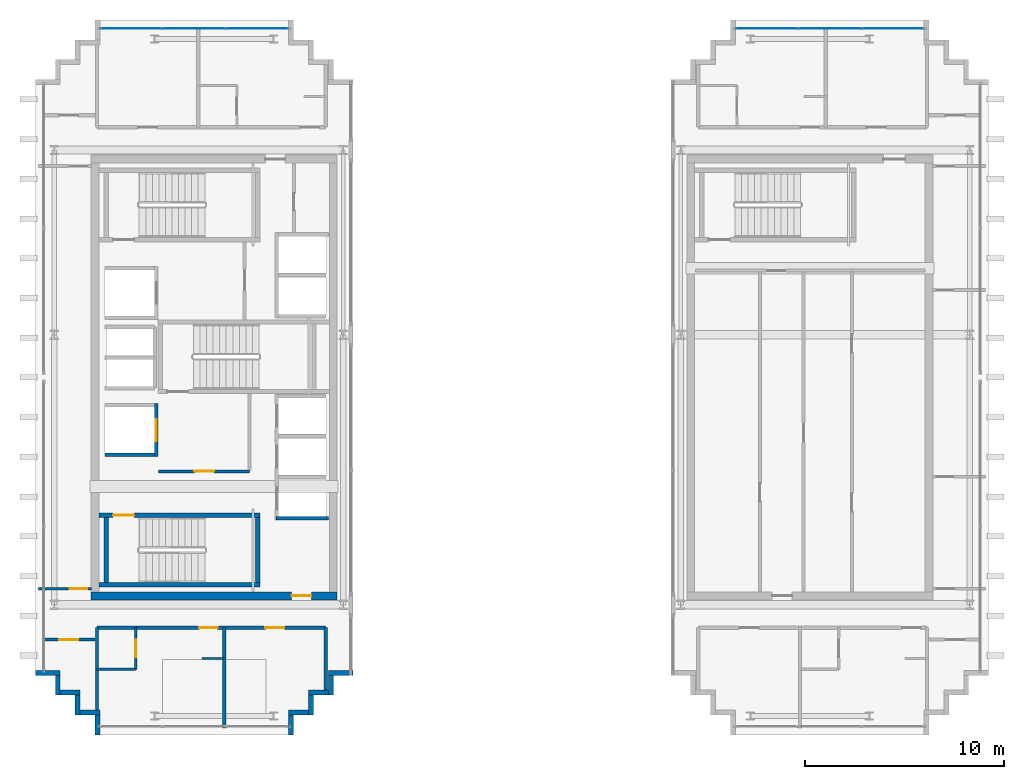
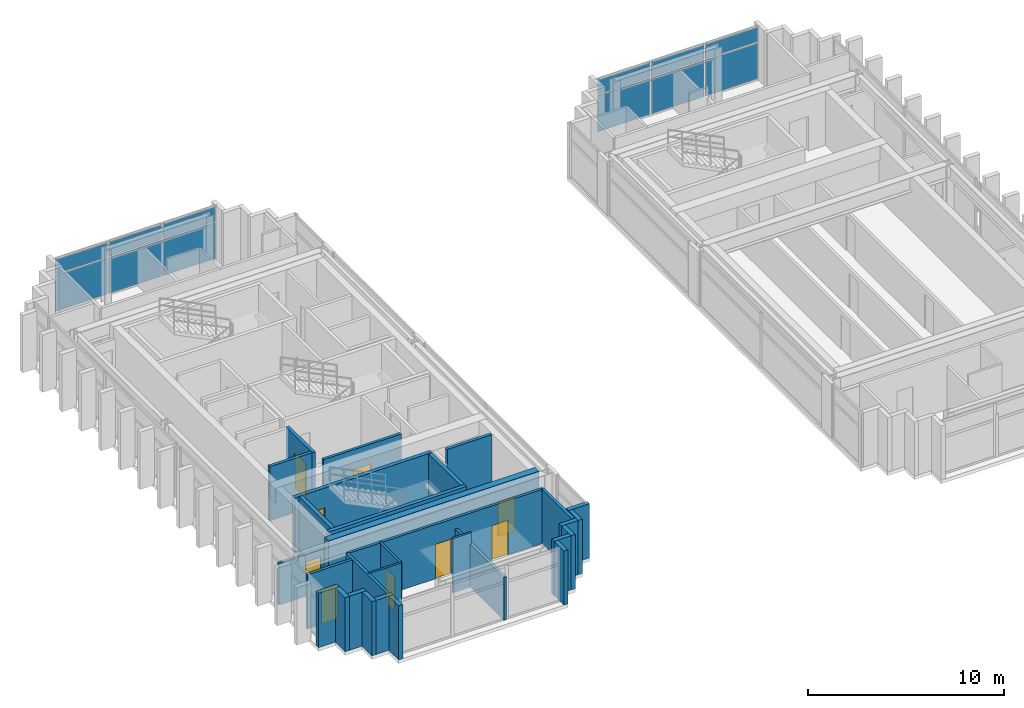
# One storey, part 19 of 25: 30 walls, 12 plates, 9 doors, 9 openings, 2 elements without a shape of their own.
"""IFC4 building model written with IfcOpenShell, lengths in metres."""

from ifc_helpers import new_model, si_unit, direction, frame, frame_2d, origin, origin_2d, place, context, subcontext, project, spatial, rectangle, extrude, source, transform, mapped, material, layer, layer_set, type_object, element, fill, aggregate, save


model = new_model("IFC4")

# Units and contexts
model_context = context("Model", 3, precision=1e-05, world=origin(), true_north=direction((0.0, 1.0)))
body_context = subcontext(model_context, "Body", "Model", "MODEL_VIEW")
ifc_project = project(units=[si_unit("LENGTHUNIT", "METRE"), si_unit("AREAUNIT", "SQUARE_METRE"), si_unit("VOLUMEUNIT", "CUBIC_METRE"), si_unit("PLANEANGLEUNIT", "RADIAN"), si_unit("MASSUNIT", "GRAM", prefix="KILO")], contexts=[model_context])

# Site, building, storey
site_placement = place(None, origin())
site = spatial("IfcSite", under=ifc_project, at=site_placement, CompositionType="ELEMENT")
building_placement = place(site_placement, origin())
building = spatial("IfcBuilding", under=site, at=building_placement, Name="Ocotamira Hotel", CompositionType="ELEMENT")
storey_placement = place(building_placement, frame((0.0, 0.0, 258.0)))
storey = spatial("IfcBuildingStorey", under=building, at=storey_placement, Name="L65", CompositionType="ELEMENT", Elevation=258.0)

# Curtain wall, plates
ifc_material_1 = material(Name="Anodised pale-metal aluminium and solar glass", Category="aluminium")
ifc_layer_1 = layer(ifc_material_1, 0.2099609375)
ifc_layer_set_1 = layer_set([ifc_layer_1], Name="Anodised pale-metal aluminium and solar glass")
curtain_wall_type = type_object("IfcCurtainWallType", Name="CW-SYS7-PEAK", PredefinedType="NOTDEFINED", material=ifc_layer_set_1)
curtain_wall_1_placement = place(storey_placement, origin())
curtain_wall_1 = element("IfcCurtainWall", 1, at=curtain_wall_1_placement, inside=storey, type_object=curtain_wall_type, Name="L65 Curtain Wall CW-7 CW-L65-WN", PredefinedType="NOTDEFINED")
ifc_material_2 = material(Name="Double-silver low-E insulated solar glass", Category="glass")
ifc_layer_2 = layer(ifc_material_2, 0.031982421875)
ifc_layer_set_2 = layer_set([ifc_layer_2], Name="Double-silver low-E insulated solar glass")
plate_type = type_object("IfcPlateType", Name="CWP-VISION-32", PredefinedType="CURTAIN_PANEL", material=ifc_layer_set_2)
shared_shape_1 = source(origin(), body_context, "Body", "SweptSolid", [
    extrude(rectangle(XDim=3.080078125, YDim=0.031982421875, at=origin_2d()), origin(), (0.0, 0.0, 1.0), 2.237548828125),
])
plate_1_placement = place(storey_placement, frame((12.820068359375, 43.580078125, 0.0751953125), z_axis=(0.0, 0.0, 1.0), x_axis=(1.0, 0.0, 0.0)))
plate_1 = element("IfcPlate", 2, at=plate_1_placement, type_object=plate_type, Name="CW-7 panel 1.1", PredefinedType="CURTAIN_PANEL", context=body_context, shape_type="MappedRepresentation", body=[
    mapped(shared_shape_1, transform((0.0, 0.0, 0.0), scale=1.0)),
])
plate_2_placement = place(storey_placement, frame((19.179931640625, 43.580078125, 0.0751953125), z_axis=(0.0, 0.0, 1.0), x_axis=(1.0, 0.0, 0.0)))
plate_2 = element("IfcPlate", 3, at=plate_2_placement, type_object=plate_type, Name="CW-7 panel 3.1", PredefinedType="CURTAIN_PANEL", context=body_context, shape_type="MappedRepresentation", body=[
    mapped(shared_shape_1, transform((0.0, 0.0, 0.0), scale=1.0)),
])

curtain_wall_2_placement = place(storey_placement, origin())
curtain_wall_2 = element("IfcCurtainWall", 4, at=curtain_wall_2_placement, inside=storey, type_object=curtain_wall_type, Name="L65 Curtain Wall CW-7 CW-L65-EN", PredefinedType="NOTDEFINED")
plate_3_placement = place(storey_placement, frame((44.820068359375, 43.580078125, 0.0751953125), z_axis=(0.0, 0.0, 1.0), x_axis=(1.0, 0.0, 0.0)))
plate_3 = element("IfcPlate", 5, at=plate_3_placement, type_object=plate_type, Name="CW-7 panel 1.1", PredefinedType="CURTAIN_PANEL", context=body_context, shape_type="MappedRepresentation", body=[
    mapped(shared_shape_1, transform((0.0, 0.0, 0.0), scale=1.0)),
])
plate_4_placement = place(storey_placement, frame((51.179931640625, 43.580078125, 0.0751953125), z_axis=(0.0, 0.0, 1.0), x_axis=(1.0, 0.0, 0.0)))
plate_4 = element("IfcPlate", 6, at=plate_4_placement, type_object=plate_type, Name="CW-7 panel 3.1", PredefinedType="CURTAIN_PANEL", context=body_context, shape_type="MappedRepresentation", body=[
    mapped(shared_shape_1, transform((0.0, 0.0, 0.0), scale=1.0)),
])

# Plate
shared_shape_2 = source(origin(), body_context, "Body", "SweptSolid", [
    extrude(rectangle(XDim=3.080078125, YDim=0.031982421875, at=origin_2d()), origin(), (0.0, 0.0, 1.0), 0.91748046875),
])
plate_5_placement = place(storey_placement, frame((12.820068359375, 43.580078125, 2.387451171875), z_axis=(0.0, 0.0, 1.0), x_axis=(1.0, 0.0, 0.0)))
plate_5 = element("IfcPlate", 7, at=plate_5_placement, type_object=plate_type, Name="CW-7 panel 1.2", PredefinedType="CURTAIN_PANEL", context=body_context, shape_type="MappedRepresentation", body=[
    mapped(shared_shape_2, transform((0.0, 0.0, 0.0), scale=1.0)),
])

plate_6_placement = place(storey_placement, frame((19.179931640625, 43.580078125, 2.387451171875), z_axis=(0.0, 0.0, 1.0), x_axis=(1.0, 0.0, 0.0)))
plate_6 = element("IfcPlate", 8, at=plate_6_placement, type_object=plate_type, Name="CW-7 panel 3.2", PredefinedType="CURTAIN_PANEL", context=body_context, shape_type="MappedRepresentation", body=[
    mapped(shared_shape_2, transform((0.0, 0.0, 0.0), scale=1.0)),
])

plate_7_placement = place(storey_placement, frame((44.820068359375, 43.580078125, 2.387451171875), z_axis=(0.0, 0.0, 1.0), x_axis=(1.0, 0.0, 0.0)))
plate_7 = element("IfcPlate", 9, at=plate_7_placement, type_object=plate_type, Name="CW-7 panel 1.2", PredefinedType="CURTAIN_PANEL", context=body_context, shape_type="MappedRepresentation", body=[
    mapped(shared_shape_2, transform((0.0, 0.0, 0.0), scale=1.0)),
])

plate_8_placement = place(storey_placement, frame((51.179931640625, 43.580078125, 2.387451171875), z_axis=(0.0, 0.0, 1.0), x_axis=(1.0, 0.0, 0.0)))
plate_8 = element("IfcPlate", 10, at=plate_8_placement, type_object=plate_type, Name="CW-7 panel 3.2", PredefinedType="CURTAIN_PANEL", context=body_context, shape_type="MappedRepresentation", body=[
    mapped(shared_shape_2, transform((0.0, 0.0, 0.0), scale=1.0)),
])

shared_shape_3 = source(origin(), body_context, "Body", "SweptSolid", [
    extrude(rectangle(XDim=3.1201171875, YDim=0.031982421875, at=origin_2d()), origin(), (0.0, 0.0, 1.0), 2.237548828125),
])
plate_9_placement = place(storey_placement, frame((16.0, 43.580078125, 0.0751953125), z_axis=(0.0, 0.0, 1.0), x_axis=(1.0, 0.0, 0.0)))
plate_9 = element("IfcPlate", 11, at=plate_9_placement, type_object=plate_type, Name="CW-7 panel 2.1", PredefinedType="CURTAIN_PANEL", context=body_context, shape_type="MappedRepresentation", body=[
    mapped(shared_shape_3, transform((0.0, 0.0, 0.0), scale=1.0)),
])

plate_10_placement = place(storey_placement, frame((48.0, 43.580078125, 0.0751953125), z_axis=(0.0, 0.0, 1.0), x_axis=(1.0, 0.0, 0.0)))
plate_10 = element("IfcPlate", 12, at=plate_10_placement, type_object=plate_type, Name="CW-7 panel 2.1", PredefinedType="CURTAIN_PANEL", context=body_context, shape_type="MappedRepresentation", body=[
    mapped(shared_shape_3, transform((0.0, 0.0, 0.0), scale=1.0)),
])

shared_shape_4 = source(origin(), body_context, "Body", "SweptSolid", [
    extrude(rectangle(XDim=3.1201171875, YDim=0.031982421875, at=origin_2d()), origin(), (0.0, 0.0, 1.0), 0.91748046875),
])
plate_11_placement = place(storey_placement, frame((16.0, 43.580078125, 2.387451171875), z_axis=(0.0, 0.0, 1.0), x_axis=(1.0, 0.0, 0.0)))
plate_11 = element("IfcPlate", 13, at=plate_11_placement, type_object=plate_type, Name="CW-7 panel 2.2", PredefinedType="CURTAIN_PANEL", context=body_context, shape_type="MappedRepresentation", body=[
    mapped(shared_shape_4, transform((0.0, 0.0, 0.0), scale=1.0)),
])

aggregate(curtain_wall_1, [plate_1, plate_5, plate_9, plate_11, plate_2, plate_6])

plate_12_placement = place(storey_placement, frame((48.0, 43.580078125, 2.387451171875), z_axis=(0.0, 0.0, 1.0), x_axis=(1.0, 0.0, 0.0)))
plate_12 = element("IfcPlate", 14, at=plate_12_placement, type_object=plate_type, Name="CW-7 panel 2.2", PredefinedType="CURTAIN_PANEL", context=body_context, shape_type="MappedRepresentation", body=[
    mapped(shared_shape_4, transform((0.0, 0.0, 0.0), scale=1.0)),
])

aggregate(curtain_wall_2, [plate_3, plate_7, plate_10, plate_12, plate_4, plate_8])

# Wall, opening, door
ifc_material_3 = material(Name="Concrete C50/60", Category="concrete")
ifc_layer_3 = layer(ifc_material_3, 0.39990234375)
ifc_layer_set_3 = layer_set([ifc_layer_3], Name="Concrete C50/60")
wall_type_1 = type_object("IfcWallType", Name="WL-CORE-400", PredefinedType="SHEAR", material=ifc_layer_set_3)
wall_1_placement = place(storey_placement, frame((10.800048828125, 15.0, 0.0), z_axis=(0.0, 0.0, 1.0), x_axis=(1.0, 0.0, 0.0)))
wall_1 = element("IfcWall", 15, at=wall_1_placement, inside=storey, type_object=wall_type_1, Name="L65 Shear Core Wall WCORE-S", PredefinedType="SHEAR", context=body_context, shape_type="SweptSolid", body=[
    extrude(rectangle(XDim=12.39990234375, YDim=0.39990234375, at=frame_2d((6.199951171875, 0.0))), origin(), (0.0, 0.0, 1.0), 3.3798828125),
])
opening_1_placement = place(wall_1_placement, frame((10.10009765625, 0.0, 0.0)))
opening_1 = element("IfcOpeningElement", 16, at=opening_1_placement, cuts=wall_1, Name="Opening D-FR2", PredefinedType="OPENING", context=body_context, shape_type="SweptSolid", body=[
    extrude(rectangle(XDim=1.0, YDim=2.14990234375, at=frame_2d((0.5, 1.074951171875))), frame((0.0, 0.2099609375, 0.0), z_axis=(0.0, -1.0, 0.0), x_axis=(1.0, 0.0, 0.0)), (0.0, 0.0, 1.0), 0.419921875),
])
ifc_material_4 = material(Name="Fire-rated acoustic timber-veneer door", Category="wood")
door_type_1 = type_object("IfcDoorType", Name="DR-FIRE-1000", OperationType="NOTDEFINED", PredefinedType="DOOR", material=ifc_material_4)
shared_shape_5 = source(origin(), body_context, "Body", "SweptSolid", [
    extrude(rectangle(XDim=1.0, YDim=2.14990234375, at=frame_2d((0.5, 1.074951171875))), frame((0.0, 0.02490234375, 0.0), z_axis=(0.0, -1.0, 0.0), x_axis=(1.0, 0.0, 0.0)), (0.0, 0.0, 1.0), 0.050048828125),
])
door_1_placement = place(opening_1_placement, origin())
door_1 = element("IfcDoor", 17, at=door_1_placement, inside=storey, type_object=door_type_1, Name="L65 Door ID-L65-WLOB-S-D [ID-L65-WLOB-S-D]", OperationType="SINGLE_SWING_LEFT", OverallHeight=2.14990234375, OverallWidth=1.0, PredefinedType="DOOR", context=body_context, shape_type="MappedRepresentation", body=[
    mapped(shared_shape_5, transform((0.0, 0.0, 0.0), scale=1.0)),
])
fill(opening_1, door_1)

# Walls
ifc_material_5 = material(Name="Precast concrete C45/55", Category="concrete")
ifc_layer_4 = layer(ifc_material_5, 0.25)
ifc_layer_set_4 = layer_set([ifc_layer_4], Name="Precast concrete C45/55")
wall_type_2 = type_object("IfcWallType", Name="WL-EXT-SER-250", PredefinedType="SOLIDWALL", material=ifc_layer_set_4)
for number, where, z_axis, x_axis, name in (
    (18, (20.875, 8.0, 0.0), (0.0, 0.0, 1.0), (0.0, 1.0, 0.0), "L65 -W Serrated Corner Wall 01"),
    (19, (20.75, 9.125, 0.0), (0.0, 0.0, 1.0), (1.0, 0.0, 0.0), "L65 -W Serrated Corner Wall 02"),
    (20, (21.875, 9.0, 0.0), (0.0, 0.0, 1.0), (0.0, 1.0, 0.0), "L65 -W Serrated Corner Wall 03"),
    (21, (21.75, 10.125, 0.0), (0.0, 0.0, 1.0), (1.0, 0.0, 0.0), "L65 -W Serrated Corner Wall 04"),
    (22, (22.875, 10.0, 0.0), (0.0, 0.0, 1.0), (0.0, 1.0, 0.0), "L65 -W Serrated Corner Wall 05"),
):
    element("IfcWall", number, at=place(storey_placement, frame(where, z_axis=z_axis, x_axis=x_axis)), inside=storey, type_object=wall_type_2, Name=name, PredefinedType="SOLIDWALL", context=body_context, shape_type="SweptSolid", body=[
        extrude(rectangle(XDim=1.0, YDim=0.25, at=frame_2d((0.5, 0.0))), origin(), (0.0, 0.0, 1.0), 3.3798828125),
    ])
for number, where, z_axis, x_axis, name in (
    (23, (22.75, 11.125, 0.0), (0.0, 0.0, 1.0), (1.0, 0.0, 0.0), "L65 -W Serrated Corner Wall 06"),
    (24, (8.0, 11.125, 0.0), (0.0, 0.0, 1.0), (1.0, 0.0, 0.0), "L65 -W Serrated Corner Wall 19"),
):
    element("IfcWall", number, at=place(storey_placement, frame(where, z_axis=z_axis, x_axis=x_axis)), inside=storey, type_object=wall_type_2, Name=name, PredefinedType="SOLIDWALL", context=body_context, shape_type="SweptSolid", body=[
        extrude(rectangle(XDim=1.25, YDim=0.25, at=frame_2d((0.625, 0.0))), origin(), (0.0, 0.0, 1.0), 3.3798828125),
    ])
for number, where, z_axis, x_axis, name in (
    (25, (9.125, 11.0, 0.0), (0.0, 0.0, 1.0), (0.0, -1.0, 0.0), "L65 -W Serrated Corner Wall 20"),
    (26, (9.25, 10.125, 0.0), (0.0, 0.0, 1.0), (1.0, 0.0, 0.0), "L65 -W Serrated Corner Wall 21"),
    (27, (10.125, 10.0, 0.0), (0.0, 0.0, 1.0), (0.0, -1.0, 0.0), "L65 -W Serrated Corner Wall 22"),
    (28, (10.25, 9.125, 0.0), (0.0, 0.0, 1.0), (1.0, 0.0, 0.0), "L65 -W Serrated Corner Wall 23"),
    (29, (11.125, 9.0, 0.0), (0.0, 0.0, 1.0), (0.0, -1.0, 0.0), "L65 -W Serrated Corner Wall 24"),
):
    element("IfcWall", number, at=place(storey_placement, frame(where, z_axis=z_axis, x_axis=x_axis)), inside=storey, type_object=wall_type_2, Name=name, PredefinedType="SOLIDWALL", context=body_context, shape_type="SweptSolid", body=[
        extrude(rectangle(XDim=1.0, YDim=0.25, at=frame_2d((0.5, 0.0))), origin(), (0.0, 0.0, 1.0), 3.3798828125),
    ])

# Wall, opening, door
ifc_material_6 = material(Name="Acoustic double-layer fire gypsum board partition", Category="gypsum")
ifc_layer_5 = layer(ifc_material_6, 0.159912109375)
ifc_layer_set_5 = layer_set([ifc_layer_5], Name="Acoustic double-layer fire gypsum board partition")
wall_type_3 = type_object("IfcWallType", Name="WL-FIRE-160", PredefinedType="PARTITIONING", material=ifc_layer_set_5)
wall_2_placement = place(storey_placement, frame((14.199951171875, 21.27001953125, 0.0), z_axis=(0.0, 0.0, 1.0), x_axis=(1.0, 0.0, 0.0)))
wall_2 = element("IfcWall", 30, at=wall_2_placement, inside=storey, type_object=wall_type_3, Name="L65 Interior Wall PW-L65-FSAE1-S", PredefinedType="PARTITIONING", context=body_context, shape_type="SweptSolid", body=[
    extrude(rectangle(XDim=4.580078125, YDim=0.159912109375, at=frame_2d((2.2900390625, 0.0))), origin(), (0.0, 0.0, 1.0), 3.3798828125),
])
opening_2_placement = place(wall_2_placement, frame((1.800048828125, 0.0, 0.0)))
opening_2 = element("IfcOpeningElement", 31, at=opening_2_placement, cuts=wall_2, Name="Opening D-FR2", PredefinedType="OPENING", context=body_context, shape_type="SweptSolid", body=[
    extrude(rectangle(XDim=1.0, YDim=2.14990234375, at=frame_2d((0.5, 1.074951171875))), frame((0.0, 0.08984375, 0.0), z_axis=(0.0, -1.0, 0.0), x_axis=(1.0, 0.0, 0.0)), (0.0, 0.0, 1.0), 0.179931640625),
])
door_2_placement = place(opening_2_placement, origin())
door_2 = element("IfcDoor", 32, at=door_2_placement, inside=storey, type_object=door_type_1, Name="L65 Door ID-L65-FSAE1-D [ID-L65-FSAE1-D]", OperationType="SINGLE_SWING_LEFT", OverallHeight=2.14990234375, OverallWidth=1.0, PredefinedType="DOOR", context=body_context, shape_type="MappedRepresentation", body=[
    mapped(shared_shape_5, transform((0.0, 0.0, 0.0), scale=1.0)),
])
fill(opening_2, door_2)

# Wall, openings, doors
wall_3_placement = place(storey_placement, frame((11.10009765625, 13.39990234375, 0.0), z_axis=(0.0, 0.0, 1.0), x_axis=(1.0, 0.0, 0.0)))
wall_3 = element("IfcWall", 33, at=wall_3_placement, inside=storey, type_object=wall_type_3, Name="L65 Interior Wall PW-L65-SPW1S-CORRW", PredefinedType="PARTITIONING", context=body_context, shape_type="SweptSolid", body=[
    extrude(rectangle(XDim=11.52001953125, YDim=0.159912109375, at=frame_2d((5.760009765625, 0.0))), origin(), (0.0, 0.0, 1.0), 3.3798828125),
])
opening_3_placement = place(wall_3_placement, frame((5.139892578125, 0.0, 0.0)))
opening_3 = element("IfcOpeningElement", 34, at=opening_3_placement, cuts=wall_3, Name="Opening D-GR1", PredefinedType="OPENING", context=body_context, shape_type="SweptSolid", body=[
    extrude(rectangle(XDim=0.93994140625, YDim=2.14990234375, at=frame_2d((0.469970703125, 1.074951171875))), frame((0.0, 0.08984375, 0.0), z_axis=(0.0, -1.0, 0.0), x_axis=(1.0, 0.0, 0.0)), (0.0, 0.0, 1.0), 0.179931640625),
])
opening_4_placement = place(wall_3_placement, frame((8.47998046875, 0.0, 0.0)))
opening_4 = element("IfcOpeningElement", 35, at=opening_4_placement, cuts=wall_3, Name="Opening D-SV4", PredefinedType="OPENING", context=body_context, shape_type="SweptSolid", body=[
    extrude(rectangle(XDim=0.9599609375, YDim=2.14990234375, at=frame_2d((0.47998046875, 1.074951171875))), frame((0.0, 0.08984375, 0.0), z_axis=(0.0, -1.0, 0.0), x_axis=(1.0, 0.0, 0.0)), (0.0, 0.0, 1.0), 0.179931640625),
])
ifc_material_7 = material(Name="Fire-rated accessible walnut salon door", Category="wood")
door_type_2 = type_object("IfcDoorType", Name="DR-SERV-960", OperationType="NOTDEFINED", PredefinedType="DOOR", material=ifc_material_7)
shared_shape_6 = source(origin(), body_context, "Body", "SweptSolid", [
    extrude(rectangle(XDim=0.9599609375, YDim=2.14990234375, at=frame_2d((0.47998046875, 1.074951171875))), frame((0.0, 0.02490234375, 0.0), z_axis=(0.0, -1.0, 0.0), x_axis=(1.0, 0.0, 0.0)), (0.0, 0.0, 1.0), 0.050048828125),
])
door_3_placement = place(opening_4_placement, origin())
door_3 = element("IfcDoor", 36, at=door_3_placement, inside=storey, type_object=door_type_2, Name="L65 Door ID-L65-SPW1S-AMD2 [ID-L65-SPW1S-AMD2]", OperationType="SINGLE_SWING_RIGHT", OverallHeight=2.14990234375, OverallWidth=0.9599609375, PredefinedType="DOOR", context=body_context, shape_type="MappedRepresentation", body=[
    mapped(shared_shape_6, transform((0.0, 0.0, 0.0), scale=1.0)),
])
fill(opening_4, door_3)
ifc_material_8 = material(Name="Solid-core walnut suite entrance fire door", Category="wood")
door_type_3 = type_object("IfcDoorType", Name="DR-GUEST-940", OperationType="NOTDEFINED", PredefinedType="DOOR", material=ifc_material_8)
shared_shape_7 = source(origin(), body_context, "Body", "SweptSolid", [
    extrude(rectangle(XDim=0.93994140625, YDim=2.14990234375, at=frame_2d((0.469970703125, 1.074951171875))), frame((0.0, 0.02490234375, 0.0), z_axis=(0.0, -1.0, 0.0), x_axis=(1.0, 0.0, 0.0)), (0.0, 0.0, 1.0), 0.050048828125),
])
door_4_placement = place(opening_3_placement, origin())
door_4 = element("IfcDoor", 37, at=door_4_placement, inside=storey, type_object=door_type_3, Name="L65 Door ID-L65-SPW1S-RMD1 [ID-L65-SPW1S-RMD1]", OperationType="SINGLE_SWING_LEFT", OverallHeight=2.14990234375, OverallWidth=0.93994140625, PredefinedType="DOOR", context=body_context, shape_type="MappedRepresentation", body=[
    mapped(shared_shape_7, transform((0.0, 0.0, 0.0), scale=1.0)),
])
fill(opening_3, door_4)

# Wall, opening, door
wall_4_placement = place(storey_placement, frame((8.35009765625, 12.800048828125, 0.0), z_axis=(0.0, 0.0, 1.0), x_axis=(1.0, 0.0, 0.0)))
wall_4 = element("IfcWall", 38, at=wall_4_placement, inside=storey, type_object=wall_type_3, Name="L65 Interior Wall PW-L65-SPCSW1-CW", PredefinedType="PARTITIONING", context=body_context, shape_type="SweptSolid", body=[
    extrude(rectangle(XDim=2.64990234375, YDim=0.159912109375, at=frame_2d((1.324951171875, 0.0))), origin(), (0.0, 0.0, 1.0), 3.3798828125),
])
opening_5_placement = place(wall_4_placement, frame((0.844970703125, 0.0, 0.0)))
opening_5 = element("IfcOpeningElement", 39, at=opening_5_placement, cuts=wall_4, Name="Opening D-SV4", PredefinedType="OPENING", context=body_context, shape_type="SweptSolid", body=[
    extrude(rectangle(XDim=0.9599609375, YDim=2.14990234375, at=frame_2d((0.47998046875, 1.074951171875))), frame((0.0, 0.08984375, 0.0), z_axis=(0.0, -1.0, 0.0), x_axis=(1.0, 0.0, 0.0)), (0.0, 0.0, 1.0), 0.179931640625),
])
door_5_placement = place(opening_5_placement, origin())
door_5 = element("IfcDoor", 40, at=door_5_placement, inside=storey, type_object=door_type_2, Name="L65 Door ID-L65-SPCSW1-CD [ID-L65-SPCSW1-CD]", OperationType="SINGLE_SWING_LEFT", OverallHeight=2.14990234375, OverallWidth=0.9599609375, PredefinedType="DOOR", context=body_context, shape_type="MappedRepresentation", body=[
    mapped(shared_shape_6, transform((0.0, 0.0, 0.0), scale=1.0)),
])
fill(opening_5, door_5)

ifc_material_9 = material(Name="Moisture-resistant en-suite tile and gypsum partition", Category="gypsum")
ifc_layer_6 = layer(ifc_material_9, 0.1201171875)
ifc_layer_set_6 = layer_set([ifc_layer_6], Name="Moisture-resistant en-suite tile and gypsum partition")
wall_type_4 = type_object("IfcWallType", Name="WL-PART-120", PredefinedType="PARTITIONING", material=ifc_layer_set_6)
wall_5_placement = place(storey_placement, frame((13.050048828125, 11.300048828125, 0.0), z_axis=(0.0, 0.0, 1.0), x_axis=(0.0, 1.0, 0.0)))
wall_5 = element("IfcWall", 41, at=wall_5_placement, inside=storey, type_object=wall_type_4, Name="L65 Interior Wall PW-L65-SPW1S-BAE1", PredefinedType="PARTITIONING", context=body_context, shape_type="SweptSolid", body=[
    extrude(rectangle(XDim=2.099853515625, YDim=0.1201171875, at=frame_2d((1.0498046875, 0.0))), origin(), (0.0, 0.0, 1.0), 3.3798828125),
])
opening_6_placement = place(wall_5_placement, frame((0.6201171875, 0.0, 0.0)))
opening_6 = element("IfcOpeningElement", 42, at=opening_6_placement, cuts=wall_5, Name="Opening D-BA1", PredefinedType="OPENING", context=body_context, shape_type="SweptSolid", body=[
    extrude(rectangle(XDim=0.860107421875, YDim=2.10009765625, at=frame_2d((0.43017578125, 1.050048828125))), frame((0.0, 0.070068359375, 0.0), z_axis=(0.0, -1.0, 0.0), x_axis=(1.0, 0.0, 0.0)), (0.0, 0.0, 1.0), 0.14013671875),
])
ifc_material_10 = material(Name="Moisture-sealed en-suite timber door", Category="wood")
door_type_4 = type_object("IfcDoorType", Name="DR-BATH-860", OperationType="NOTDEFINED", PredefinedType="DOOR", material=ifc_material_10)
shared_shape_8 = source(origin(), body_context, "Body", "SweptSolid", [
    extrude(rectangle(XDim=0.860107421875, YDim=2.10009765625, at=frame_2d((0.43017578125, 1.050048828125))), frame((0.0, 0.02490234375, 0.0), z_axis=(0.0, -1.0, 0.0), x_axis=(1.0, 0.0, 0.0)), (0.0, 0.0, 1.0), 0.050048828125),
])
door_6_placement = place(opening_6_placement, origin())
door_6 = element("IfcDoor", 43, at=door_6_placement, inside=storey, type_object=door_type_4, Name="L65 Door ID-L65-SPW1S-BAD1 [ID-L65-SPW1S-BAD1]", OperationType="SINGLE_SWING_RIGHT", OverallHeight=2.10009765625, OverallWidth=0.860107421875, PredefinedType="DOOR", context=body_context, shape_type="MappedRepresentation", body=[
    mapped(shared_shape_8, transform((0.0, 0.0, 0.0), scale=1.0)),
])
fill(opening_6, door_6)

# Walls
wall_6_placement = place(storey_placement, frame((11.10009765625, 11.300048828125, 0.0), z_axis=(0.0, 0.0, 1.0), x_axis=(1.0, 0.0, 0.0)))
element("IfcWall", 44, at=wall_6_placement, inside=storey, type_object=wall_type_4, Name="L65 Interior Wall PW-L65-SPW1S-BAS1", PredefinedType="PARTITIONING", context=body_context, shape_type="SweptSolid", body=[
    extrude(rectangle(XDim=1.949951171875, YDim=0.1201171875, at=frame_2d((0.97509765625, 0.0))), origin(), (0.0, 0.0, 1.0), 3.3798828125),
])
wall_7_placement = place(storey_placement, frame((16.39990234375, 11.85009765625, 0.0), z_axis=(0.0, 0.0, 1.0), x_axis=(1.0, 0.0, 0.0)))
element("IfcWall", 45, at=wall_7_placement, inside=storey, type_object=wall_type_4, Name="L65 Interior Wall PW-L65-SPW1S-DRN1", PredefinedType="PARTITIONING", context=body_context, shape_type="SweptSolid", body=[
    extrude(rectangle(XDim=1.10009765625, YDim=0.1201171875, at=frame_2d((0.550048828125, 0.0))), origin(), (0.0, 0.0, 1.0), 3.3798828125),
])

# Wall, opening, door
ifc_material_11 = material(Name="Acoustic hospitality gypsum board partition", Category="gypsum")
ifc_layer_7 = layer(ifc_material_11, 0.14990234375)
ifc_layer_set_7 = layer_set([ifc_layer_7], Name="Acoustic hospitality gypsum board partition")
wall_type_5 = type_object("IfcWallType", Name="WL-PART-150", PredefinedType="PARTITIONING", material=ifc_layer_set_7)
wall_8_placement = place(storey_placement, frame((8.159912109375, 15.360107421875, 0.0), z_axis=(0.0, 0.0, 1.0), x_axis=(1.0, 0.0, 0.0)))
wall_8 = element("IfcWall", 46, at=wall_8_placement, inside=storey, type_object=wall_type_5, Name="L65 Interior Wall PW-L65-SP1W-WS", PredefinedType="PARTITIONING", context=body_context, shape_type="SweptSolid", body=[
    extrude(rectangle(XDim=2.66015625, YDim=0.14990234375, at=frame_2d((1.330078125, 0.0))), origin(), (0.0, 0.0, 1.0), 2.60107421875),
])
opening_7_placement = place(wall_8_placement, frame((1.580078125, 0.0, 0.0)))
opening_7 = element("IfcOpeningElement", 47, at=opening_7_placement, cuts=wall_8, Name="Opening D-SV2", PredefinedType="OPENING", context=body_context, shape_type="SweptSolid", body=[
    extrude(rectangle(XDim=0.8798828125, YDim=2.14990234375, at=frame_2d((0.43994140625, 1.074951171875))), frame((0.0, 0.0849609375, 0.0), z_axis=(0.0, -1.0, 0.0), x_axis=(1.0, 0.0, 0.0)), (0.0, 0.0, 1.0), 0.169921875),
])
ifc_material_12 = material(Name="Fire-rated painted steel service door", Category="steel")
door_type_5 = type_object("IfcDoorType", Name="DR-SERV-880", OperationType="NOTDEFINED", PredefinedType="DOOR", material=ifc_material_12)
shared_shape_9 = source(origin(), body_context, "Body", "SweptSolid", [
    extrude(rectangle(XDim=0.8798828125, YDim=2.14990234375, at=frame_2d((0.43994140625, 1.074951171875))), frame((0.0, 0.02490234375, 0.0), z_axis=(0.0, -1.0, 0.0), x_axis=(1.0, 0.0, 0.0)), (0.0, 0.0, 1.0), 0.050048828125),
])
door_7_placement = place(opening_7_placement, origin())
door_7 = element("IfcDoor", 48, at=door_7_placement, inside=storey, type_object=door_type_5, Name="L65 Door ID-L65-SP1W-DS [ID-L65-SP1W-DS]", OperationType="SINGLE_SWING_LEFT", OverallHeight=2.14990234375, OverallWidth=0.8798828125, PredefinedType="DOOR", context=body_context, shape_type="MappedRepresentation", body=[
    mapped(shared_shape_9, transform((0.0, 0.0, 0.0), scale=1.0)),
])
fill(opening_7, door_7)

# Walls
ifc_material_13 = material(Name="Acoustic double-stud hospitality gypsum partition", Category="gypsum")
ifc_layer_8 = layer(ifc_material_13, 0.159912109375)
ifc_layer_set_8 = layer_set([ifc_layer_8], Name="Acoustic double-stud hospitality gypsum partition")
wall_type_6 = type_object("IfcWallType", Name="WL-PART-160", PredefinedType="PARTITIONING", material=ifc_layer_set_8)
wall_9_placement = place(storey_placement, frame((11.10009765625, 9.260009765625, 0.0), z_axis=(0.0, 0.0, 1.0), x_axis=(0.0, 1.0, 0.0)))
element("IfcWall", 49, at=wall_9_placement, inside=storey, type_object=wall_type_6, Name="L65 Interior Wall PW-L65-SPW1S-PW0", PredefinedType="PARTITIONING", context=body_context, shape_type="SweptSolid", body=[
    extrude(rectangle(XDim=4.139892578125, YDim=0.159912109375, at=frame_2d((2.06982421875, 0.0))), origin(), (0.0, 0.0, 1.0), 3.3798828125),
])
wall_10_placement = place(storey_placement, frame((22.6201171875, 10.260009765625, 0.0), z_axis=(0.0, 0.0, 1.0), x_axis=(0.0, 1.0, 0.0)))
element("IfcWall", 50, at=wall_10_placement, inside=storey, type_object=wall_type_6, Name="L65 Interior Wall PW-L65-SPW1S-PWEND", PredefinedType="PARTITIONING", context=body_context, shape_type="SweptSolid", body=[
    extrude(rectangle(XDim=3.139892578125, YDim=0.159912109375, at=frame_2d((1.56982421875, 0.0))), origin(), (0.0, 0.0, 1.0), 3.3798828125),
])
ifc_material_14 = material(Name="Double-stud suite party gypsum partition", Category="gypsum")
ifc_layer_9 = layer(ifc_material_14, 0.175048828125)
ifc_layer_set_9 = layer_set([ifc_layer_9], Name="Double-stud suite party gypsum partition")
wall_type_7 = type_object("IfcWallType", Name="WL-PART-175", PredefinedType="PARTITIONING", material=ifc_layer_set_9)
wall_11_placement = place(storey_placement, frame((17.5, 8.360107421875, 0.0), z_axis=(0.0, 0.0, 1.0), x_axis=(0.0, 1.0, 0.0)))
element("IfcWall", 51, at=wall_11_placement, inside=storey, type_object=wall_type_7, Name="L65 Interior Wall PW-L65-SPW1S-PW1", PredefinedType="PARTITIONING", context=body_context, shape_type="SweptSolid", body=[
    extrude(rectangle(XDim=5.039794921875, YDim=0.175048828125, at=frame_2d((2.52001953125, 0.0))), origin(), (0.0, 0.0, 1.0), 2.68701171875),
])
ifc_material_15 = material(Name="Fire-rated gypsum shaftliner board assembly", Category="gypsum")
ifc_layer_10 = layer(ifc_material_15, 0.179931640625)
ifc_layer_set_10 = layer_set([ifc_layer_10], Name="Fire-rated gypsum shaftliner board assembly")
wall_type_8 = type_object("IfcWallType", Name="WL-SHAFT-180", PredefinedType="SOLIDWALL", material=ifc_layer_set_10)
wall_12_placement = place(storey_placement, frame((20.1201171875, 18.909912109375, 0.0), z_axis=(0.0, 0.0, 1.0), x_axis=(1.0, 0.0, 0.0)))
element("IfcWall", 52, at=wall_12_placement, inside=storey, type_object=wall_type_8, Name="L65 Interior Wall PW-L65-LFW-BANK-high-S", PredefinedType="SOLIDWALL", context=body_context, shape_type="SweptSolid", body=[
    extrude(rectangle(XDim=2.6298828125, YDim=0.179931640625, at=frame_2d((1.31494140625, 0.0))), origin(), (0.0, 0.0, 1.0), 3.3798828125),
])
wall_13_placement = place(storey_placement, frame((11.5, 22.110107421875, 0.0), z_axis=(0.0, 0.0, 1.0), x_axis=(1.0, 0.0, 0.0)))
element("IfcWall", 53, at=wall_13_placement, inside=storey, type_object=wall_type_8, Name="L65 Interior Wall PW-L65-LFW-LF-FSAE1-S", PredefinedType="SOLIDWALL", context=body_context, shape_type="SweptSolid", body=[
    extrude(rectangle(XDim=2.5, YDim=0.179931640625, at=frame_2d((1.25, 0.0))), origin(), (0.0, 0.0, 1.0), 3.3798828125),
])

# Wall, opening, door
wall_14_placement = place(storey_placement, frame((14.090087890625, 22.02001953125, 0.0), z_axis=(0.0, 0.0, 1.0), x_axis=(0.0, 1.0, 0.0)))
wall_14 = element("IfcWall", 54, at=wall_14_placement, inside=storey, type_object=wall_type_8, Name="L65 Interior Wall PW-L65-LFW-LF-FSAE1-E", PredefinedType="SOLIDWALL", context=body_context, shape_type="SweptSolid", body=[
    extrude(rectangle(XDim=2.659912109375, YDim=0.179931640625, at=frame_2d((1.330078125, 0.0))), origin(), (0.0, 0.0, 1.0), 3.3798828125),
])
opening_8_placement = place(wall_14_placement, frame((0.780029296875, 0.0, 0.0)))
opening_8 = element("IfcOpeningElement", 55, at=opening_8_placement, cuts=wall_14, Name="Opening LD-LF-FSAE1", PredefinedType="OPENING", context=body_context, shape_type="SweptSolid", body=[
    extrude(rectangle(XDim=1.10009765625, YDim=2.199951171875, at=frame_2d((0.550048828125, 1.10009765625))), frame((0.0, 0.10009765625, 0.0), z_axis=(0.0, -1.0, 0.0), x_axis=(1.0, 0.0, 0.0)), (0.0, 0.0, 1.0), 0.199951171875),
])
ifc_material_16 = material(Name="Brushed pale-metal stainless elevator landing door", Category="steel")
door_type_6 = type_object("IfcDoorType", Name="DR-LIFT-1100", OperationType="NOTDEFINED", PredefinedType="DOOR", material=ifc_material_16)
shared_shape_10 = source(origin(), body_context, "Body", "SweptSolid", [
    extrude(rectangle(XDim=1.10009765625, YDim=2.199951171875, at=frame_2d((0.550048828125, 1.10009765625))), frame((0.0, 0.02490234375, 0.0), z_axis=(0.0, -1.0, 0.0), x_axis=(1.0, 0.0, 0.0)), (0.0, 0.0, 1.0), 0.050048828125),
])
door_8_placement = place(opening_8_placement, origin())
door_8 = element("IfcDoor", 56, at=door_8_placement, inside=storey, type_object=door_type_6, Name="L65 Landing Door LD-LF-FSAE1 [ID-L65-LD-LF-FSAE1]", OperationType="DOUBLE_DOOR_SLIDING", OverallHeight=2.199951171875, OverallWidth=1.10009765625, PredefinedType="DOOR", context=body_context, shape_type="MappedRepresentation", body=[
    mapped(shared_shape_10, transform((0.0, 0.0, 0.0), scale=1.0)),
])
fill(opening_8, door_8)

# Wall
ifc_layer_11 = layer(ifc_material_3, 0.219970703125)
ifc_layer_set_11 = layer_set([ifc_layer_11], Name="Concrete C50/60")
wall_type_9 = type_object("IfcWallType", Name="WL-STAIR-220", PredefinedType="SHEAR", material=ifc_layer_set_11)
wall_15_placement = place(storey_placement, frame((11.199951171875, 15.56005859375, 0.0), z_axis=(0.0, 0.0, 1.0), x_axis=(1.0, 0.0, 0.0)))
element("IfcWall", 57, at=wall_15_placement, inside=storey, type_object=wall_type_9, Name="L65 Stair Shaft Structural Wall ST-1-S", PredefinedType="SHEAR", context=body_context, shape_type="SweptSolid", body=[
    extrude(rectangle(XDim=8.110107421875, YDim=0.219970703125, at=frame_2d((4.05517578125, 0.0))), origin(), (0.0, 0.0, 1.0), 3.39990234375),
])

# Wall, opening, door
wall_16_placement = place(storey_placement, frame((11.199951171875, 19.06005859375, 0.0), z_axis=(0.0, 0.0, 1.0), x_axis=(1.0, 0.0, 0.0)))
wall_16 = element("IfcWall", 58, at=wall_16_placement, inside=storey, type_object=wall_type_9, Name="L65 Stair Shaft Structural Wall ST-1-N", PredefinedType="SHEAR", context=body_context, shape_type="SweptSolid", body=[
    extrude(rectangle(XDim=8.110107421875, YDim=0.219970703125, at=frame_2d((4.05517578125, 0.0))), origin(), (0.0, 0.0, 1.0), 3.39990234375),
])
opening_9_placement = place(wall_16_placement, frame((0.719970703125, 0.0, 0.0)))
opening_9 = element("IfcOpeningElement", 59, at=opening_9_placement, cuts=wall_16, Name="Opening D-ST2", PredefinedType="OPENING", context=body_context, shape_type="SweptSolid", body=[
    extrude(rectangle(XDim=1.050048828125, YDim=2.14990234375, at=frame_2d((0.52490234375, 1.074951171875))), frame((0.0, 0.1201171875, 0.0), z_axis=(0.0, -1.0, 0.0), x_axis=(1.0, 0.0, 0.0)), (0.0, 0.0, 1.0), 0.239990234375),
])
ifc_material_17 = material(Name="Insulated painted hollow-metal fire exit door", Category="steel")
door_type_7 = type_object("IfcDoorType", Name="DR-STAIR-1050", OperationType="NOTDEFINED", PredefinedType="DOOR", material=ifc_material_17)
shared_shape_11 = source(origin(), body_context, "Body", "SweptSolid", [
    extrude(rectangle(XDim=1.050048828125, YDim=2.14990234375, at=frame_2d((0.52490234375, 1.074951171875))), frame((0.0, 0.02490234375, 0.0), z_axis=(0.0, -1.0, 0.0), x_axis=(1.0, 0.0, 0.0)), (0.0, 0.0, 1.0), 0.050048828125),
])
door_9_placement = place(opening_9_placement, origin())
door_9 = element("IfcDoor", 60, at=door_9_placement, inside=storey, type_object=door_type_7, Name="L65 Door ID-L65-STD-ST-1 [ID-L65-STD-ST-1]", OperationType="SINGLE_SWING_RIGHT", OverallHeight=2.14990234375, OverallWidth=1.050048828125, PredefinedType="DOOR", context=body_context, shape_type="MappedRepresentation", body=[
    mapped(shared_shape_11, transform((0.0, 0.0, 0.0), scale=1.0)),
])
fill(opening_9, door_9)

# Walls
for number, where, z_axis, x_axis, name in (
    (61, (11.56005859375, 15.669921875, 0.0), (0.0, 0.0, 1.0), (0.0, 1.0, 0.0), "L65 Stair Shaft Structural Wall ST-1-W"),
    (62, (19.199951171875, 15.669921875, 0.0), (0.0, 0.0, 1.0), (0.0, 1.0, 0.0), "L65 Stair Shaft Structural Wall ST-1-E"),
):
    element("IfcWall", number, at=place(storey_placement, frame(where, z_axis=z_axis, x_axis=x_axis)), inside=storey, type_object=wall_type_9, Name=name, PredefinedType="SHEAR", context=body_context, shape_type="SweptSolid", body=[
        extrude(rectangle(XDim=3.280029296875, YDim=0.219970703125, at=frame_2d((1.64013671875, 0.0))), origin(), (0.0, 0.0, 1.0), 3.39990234375),
    ])

save(model, "model.ifc")
